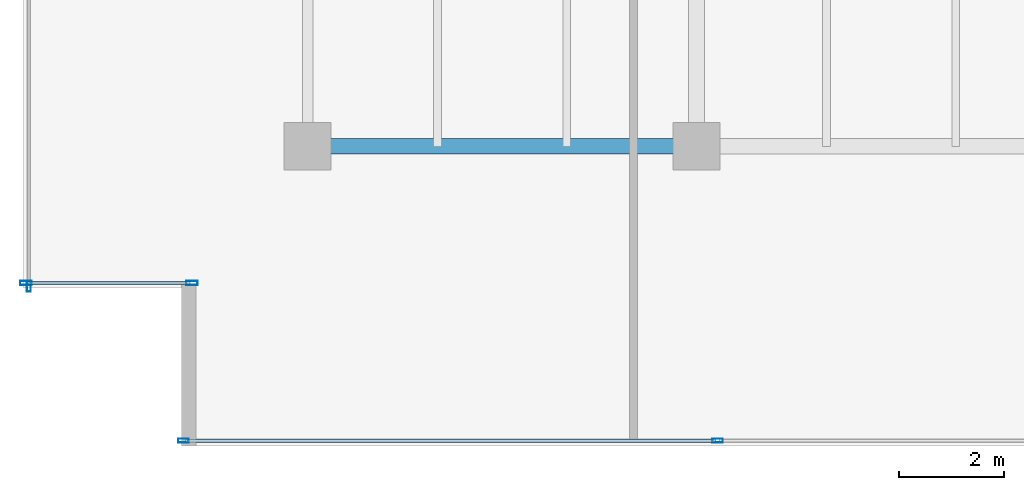
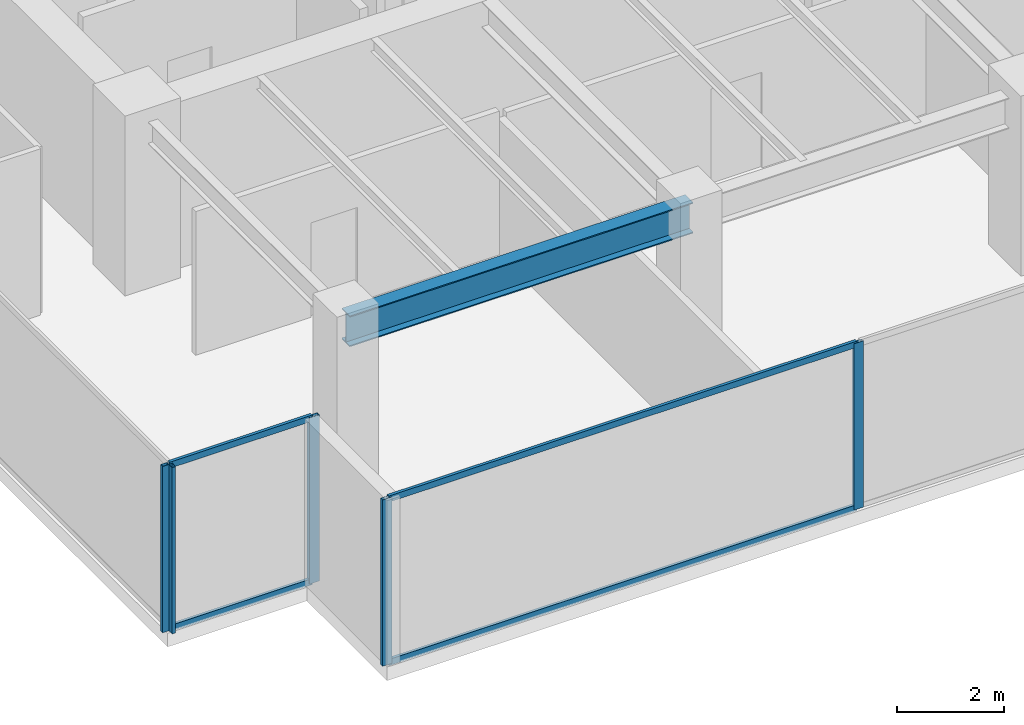
# One storey, part 2 of 30: 9 members, 1 beam, 3 elements without a shape of their own.
"""IFC4 building model written with IfcOpenShell, lengths in metres."""

import ifcopenshell
import ifcopenshell.guid

model = None  # the IFC model being written
_history = None  # IfcOwnerHistory: only IFC2X3 demands one
_inside = {}  # id of a spatial element -> (the spatial element, [elements in it])
_under = {}  # id of a project, library or spatial element -> (it, [spatial elements below it])
_declared = {}  # id of a project -> (the project, [libraries it declares])
_typed = {}  # id of a type object -> (the type object, [elements of that type])
_made_of = {}  # id of a material, layer set ... -> (it, [elements and type objects made of it])


def new_model(schema):
    """Start an empty IFC model of exactly this schema.

    Asked for "IFC4X3", IfcOpenShell would pick the latest addendum, in which some entities
    have other attributes; the version numbers below select the first issue.
    IFC2X3 requires an IfcOwnerHistory on every rooted entity: one is made here for all.
    """
    global model, _history
    if schema == "IFC4X3":
        model = ifcopenshell.file(schema_version=(4, 3, 0, 0))
    else:
        model = ifcopenshell.file(schema=schema)
    _inside.clear()
    _under.clear()
    _declared.clear()
    _typed.clear()
    _made_of.clear()
    _history = None
    if model.schema == "IFC2X3":
        org = make("IfcOrganization", Name="unknown")
        user = make(
            "IfcPersonAndOrganization",
            ThePerson=make("IfcPerson", FamilyName="unknown"),
            TheOrganization=org,
        )
        app = make(
            "IfcApplication",
            ApplicationDeveloper=org,
            Version="unknown",
            ApplicationFullName="unknown",
            ApplicationIdentifier="unknown",
        )
        _history = make(
            "IfcOwnerHistory",
            OwningUser=user,
            OwningApplication=app,
            ChangeAction="ADDED",
            CreationDate=0,
        )
    return model


def make(cls, **values):
    """One entity of the class cls with the attributes given. An attribute that is None is left unset."""
    return model.create_entity(
        cls, **{name: value for name, value in values.items() if value is not None}
    )


def rooted(cls, **values):
    """An entity with a GlobalId (a new one), such as an element, a storey or a relation."""
    return make(cls, GlobalId=ifcopenshell.guid.new(), OwnerHistory=_history, **values)


def si_unit(unit_type, name, prefix=None):
    """IfcSIUnit, for example si_unit("LENGTHUNIT", "METRE", prefix="MILLI")."""
    return make("IfcSIUnit", UnitType=unit_type, Prefix=prefix, Name=name)


def assignment(units):
    """IfcUnitAssignment: the units of a project."""
    return None if units is None else make("IfcUnitAssignment", Units=units)


def point(xyz):
    """IfcCartesianPoint."""
    return None if xyz is None else make("IfcCartesianPoint", Coordinates=xyz)


def direction(xyz):
    """IfcDirection."""
    return None if xyz is None else make("IfcDirection", DirectionRatios=xyz)


def frame(location, z_axis=None, x_axis=None):
    """IfcAxis2Placement3D, a coordinate frame: its origin and axes. An axis left out is left unset."""
    return make(
        "IfcAxis2Placement3D",
        Location=point(location),
        Axis=direction(z_axis),
        RefDirection=direction(x_axis),
    )


def frame_2d(location, x_axis=None):
    """IfcAxis2Placement2D, a coordinate frame in the plane: its origin and x axis."""
    return make(
        "IfcAxis2Placement2D", Location=point(location), RefDirection=direction(x_axis)
    )


def origin():
    """The frame at (0, 0, 0) with its axes left unset."""
    return frame((0.0, 0.0, 0.0))


def origin_2d():
    """The frame at (0, 0) in the plane with its x axis left unset."""
    return frame_2d((0.0, 0.0))


def place(relative_to, where):
    """IfcLocalPlacement: puts the frame where relative to a parent placement (None: the world)."""
    return make(
        "IfcLocalPlacement", PlacementRelTo=relative_to, RelativePlacement=where
    )


def context(
    kind, dimensions, precision=None, world=None, true_north=None, identifier=None
):
    """IfcGeometricRepresentationContext, for example the 3D "Model" context."""
    return make(
        "IfcGeometricRepresentationContext",
        ContextIdentifier=identifier,
        ContextType=kind,
        CoordinateSpaceDimension=dimensions,
        Precision=precision,
        WorldCoordinateSystem=world,
        TrueNorth=true_north,
    )


def subcontext(parent, identifier, kind, view, scale=None):
    """IfcGeometricRepresentationSubContext, for example "Body" below "Model"."""
    return make(
        "IfcGeometricRepresentationSubContext",
        ContextIdentifier=identifier,
        ContextType=kind,
        ParentContext=parent,
        TargetScale=scale,
        TargetView=view,
    )


def project(units=None, contexts=None):
    """IfcProject with its units and contexts."""
    return rooted(
        "IfcProject",
        Name="project",
        RepresentationContexts=contexts,
        UnitsInContext=assignment(units),
    )


def spatial(cls, under=None, at=None, **own):
    """A site, building, storey or space (cls), placed at a placement, below another one or the project."""
    s = rooted(cls, ObjectPlacement=at, **own)
    if under is not None:
        _under.setdefault(under.id(), (under, []))[1].append(s)
    return s


def profile(cls, at=None, kind="AREA", **sizes):
    """A parametric profile (cls). Its sizes go by their IFC names, for example OverallWidth=200.0."""
    return make(cls, ProfileType=kind, Position=at, **sizes)


def hollow_rectangle(**sizes):
    """IfcRectangleHollowProfileDef."""
    return profile("IfcRectangleHollowProfileDef", **sizes)


def i_section(**sizes):
    """IfcIShapeProfileDef."""
    return profile("IfcIShapeProfileDef", **sizes)


def extrude(swept, where, along, depth):
    """IfcExtrudedAreaSolid: the profile swept, set in the frame where, extruded along a direction by depth."""
    return make(
        "IfcExtrudedAreaSolid",
        SweptArea=swept,
        Position=where,
        ExtrudedDirection=direction(along),
        Depth=depth,
    )


def shape(context_of_items, identifier, shape_type, items):
    """IfcShapeRepresentation: the items that make up one representation, for example the "Body"."""
    return make(
        "IfcShapeRepresentation",
        ContextOfItems=context_of_items,
        RepresentationIdentifier=identifier,
        RepresentationType=shape_type,
        Items=items,
    )


def source(mapping_origin, context_of_items, identifier, shape_type, items):
    """IfcRepresentationMap: a shape defined once, which mapped items show again and again."""
    return make(
        "IfcRepresentationMap",
        MappingOrigin=mapping_origin,
        MappedRepresentation=shape(context_of_items, identifier, shape_type, items),
    )


def transform(
    local_origin,
    x_axis=None,
    y_axis=None,
    z_axis=None,
    scale=None,
    scale2=None,
    scale3=None,
    uniform=True,
):
    """IfcCartesianTransformationOperator3D, or its non-uniform kind. x_axis, y_axis, z_axis: its Axis1, 2, 3."""
    if uniform:
        return make(
            "IfcCartesianTransformationOperator3D",
            Axis1=direction(x_axis),
            Axis2=direction(y_axis),
            LocalOrigin=point(local_origin),
            Scale=scale,
            Axis3=direction(z_axis),
        )
    return make(
        "IfcCartesianTransformationOperator3DnonUniform",
        Axis1=direction(x_axis),
        Axis2=direction(y_axis),
        LocalOrigin=point(local_origin),
        Scale=scale,
        Axis3=direction(z_axis),
        Scale2=scale2,
        Scale3=scale3,
    )


def mapped(mapping_source, mapping_target):
    """IfcMappedItem: shows the shape of a source again, moved by a transform."""
    return make(
        "IfcMappedItem", MappingSource=mapping_source, MappingTarget=mapping_target
    )


def material(Name=None, Category=None):
    """IfcMaterial."""
    return make("IfcMaterial", Name=Name, Category=Category)


def layer(
    of_material, thickness, ventilated=None, Name=None, Category=None, Priority=None
):
    """IfcMaterialLayer: one layer of a wall or slab, of a material (None: an air gap)."""
    return make(
        "IfcMaterialLayer",
        Material=of_material,
        LayerThickness=thickness,
        IsVentilated=ventilated,
        Name=Name,
        Category=Category,
        Priority=Priority,
    )


def layer_set(layers, Name=None):
    """IfcMaterialLayerSet."""
    return make("IfcMaterialLayerSet", MaterialLayers=layers, LayerSetName=Name)


def material_profile(
    of_material, cross_section, Name=None, Category=None, Priority=None
):
    """IfcMaterialProfile: a cross section and its material."""
    return make(
        "IfcMaterialProfile",
        Name=Name,
        Material=of_material,
        Profile=cross_section,
        Priority=Priority,
        Category=Category,
    )


def profile_set(profiles, Name=None, composite=None):
    """IfcMaterialProfileSet."""
    return make(
        "IfcMaterialProfileSet",
        Name=Name,
        MaterialProfiles=profiles,
        CompositeProfile=composite,
    )


def made_of(thing, what):
    """Note that an element or type object is made of a material, layer set ...; save() writes the relation."""
    if what is not None:
        _made_of.setdefault(what.id(), (what, []))[1].append(thing)
    return thing


def type_object(cls, material=None, **own):
    """A type object (cls), such as IfcWallType, which elements share."""
    return made_of(rooted(cls, **own), material)


def type_shapes(of_type, sources):
    """Give a type object the sources (RepresentationMaps) that its elements show as mapped items."""
    of_type.RepresentationMaps = sources


def element(
    cls,
    number,
    at=None,
    inside=None,
    cuts=None,
    type_object=None,
    material=None,
    context=None,
    identifier="Body",
    shape_type=None,
    held_by="IfcProductDefinitionShape",
    body=None,
    shapes=None,
    **own,
):
    """One element of the class cls, such as IfcWall. Its Tag is "e" and its number.

    at: its placement. inside: the storey or other place that contains it. cuts: it is an
    opening in that element (IfcRelVoidsElement). A single representation is given by context,
    identifier, shape_type and body (its items); several are given by shapes. held_by: the class
    of the entity that holds the representations. save() writes the other relations.
    """
    e = rooted(cls, Tag="e%d" % number, ObjectPlacement=at, **own)
    if body is not None:
        shapes = [shape(context, identifier, shape_type, body)]
    if shapes is not None:
        e.Representation = make(held_by, Representations=shapes)
    if inside is not None:
        _inside.setdefault(inside.id(), (inside, []))[1].append(e)
    if cuts is not None:
        rooted(
            "IfcRelVoidsElement", RelatingBuildingElement=cuts, RelatedOpeningElement=e
        )
    if type_object is not None:
        _typed.setdefault(type_object.id(), (type_object, []))[1].append(e)
    return made_of(e, material)


def aggregate(whole, parts):
    """IfcRelAggregates: a whole, such as a stair, and the parts it consists of."""
    return rooted("IfcRelAggregates", RelatingObject=whole, RelatedObjects=parts)


def save(model, path):
    """Write the relations noted so far, then the file.

    IfcRelAggregates (storeys below a building ...), IfcRelContainedInSpatialStructure (elements
    in a storey), IfcRelDefinesByType, IfcRelAssociatesMaterial and IfcRelDeclares: one each for
    every whole, place, type object, material and project.
    """
    for whole, parts in _under.values():
        aggregate(whole, parts)
    for where, things in _inside.values():
        rooted(
            "IfcRelContainedInSpatialStructure",
            RelatedElements=things,
            RelatingStructure=where,
        )
    for kind, things in _typed.values():
        rooted("IfcRelDefinesByType", RelatedObjects=things, RelatingType=kind)
    for what, things in _made_of.values():
        rooted("IfcRelAssociatesMaterial", RelatedObjects=things, RelatingMaterial=what)
    for by, libraries in _declared.values():
        rooted("IfcRelDeclares", RelatingContext=by, RelatedDefinitions=libraries)
    model.write(path)


model = new_model("IFC4")

# Units and contexts
model_context = context("Model", 3, precision=1e-05, world=origin(), true_north=direction((0.0, 1.0)))
body_context = subcontext(model_context, "Body", "Model", "MODEL_VIEW")
ifc_project = project(units=[si_unit("LENGTHUNIT", "METRE"), si_unit("AREAUNIT", "SQUARE_METRE"), si_unit("VOLUMEUNIT", "CUBIC_METRE"), si_unit("PLANEANGLEUNIT", "RADIAN"), si_unit("MASSUNIT", "GRAM", prefix="KILO")], contexts=[model_context])

# Site, building, storey
site_placement = place(None, origin())
site = spatial("IfcSite", under=ifc_project, at=site_placement, CompositionType="ELEMENT")
building_placement = place(site_placement, origin())
building = spatial("IfcBuilding", under=site, at=building_placement, Name="Haelvirn Gate Laboratories", CompositionType="ELEMENT")
storey_placement = place(building_placement, frame((0.0, 0.0, 162.5)))
storey = spatial("IfcBuildingStorey", under=building, at=storey_placement, Name="L39", CompositionType="ELEMENT", Elevation=162.5)

# Beam
ifc_material_1 = material(Name="Steel SM355", Category="steel")
ifc_material_profile_1 = material_profile(ifc_material_1, i_section(OverallWidth=0.300048828125, OverallDepth=0.699951171875, WebThickness=0.012939453125, FlangeThickness=0.02392578125, at=origin_2d()), Name="H-700x300x13x24")
ifc_profile_set_1 = profile_set([ifc_material_profile_1], Name="Steel SM355")
beam_type = type_object("IfcBeamType", Name="BM-G-700", PredefinedType="BEAM", material=ifc_profile_set_1)
shared_shape_1 = source(origin(), body_context, "Body", "SweptSolid", [
    extrude(i_section(OverallWidth=0.300048828125, OverallDepth=0.699951171875, WebThickness=0.012939453125, FlangeThickness=0.02392578125, at=origin_2d()), origin(), (0.0, 0.0, 1.0), 7.400146484375),
])
type_shapes(beam_type, [shared_shape_1])
beam_placement = place(storey_placement, frame((7.39990234375, 7.0, 3.43994140625), z_axis=(1.0, 0.0, 0.0), x_axis=(0.0, 1.0, 0.0)))
element("IfcBeam", 1, at=beam_placement, inside=storey, type_object=beam_type, Name="L39 Primary Girder Y7.0 (7.4-14.8)", PredefinedType="BEAM", context=body_context, shape_type="MappedRepresentation", body=[
    mapped(shared_shape_1, transform((0.0, 0.0, 0.0), scale=1.0)),
])

# Curtain wall, members
ifc_material_2 = material(Name="Anodised bronze unitised aluminium & triple low-E glass", Category="aluminium")
ifc_layer_1 = layer(ifc_material_2, 0.179931640625, Name="CW-SYS-3")
ifc_layer_set_1 = layer_set([ifc_layer_1], Name="Anodised bronze unitised aluminium & triple low-E glass")
curtain_wall_type_1 = type_object("IfcCurtainWallType", Name="CW-SYS-3", PredefinedType="NOTDEFINED", material=ifc_layer_set_1)
curtain_wall_1_placement = place(storey_placement, origin())
curtain_wall_1 = element("IfcCurtainWall", 2, at=curtain_wall_1_placement, inside=storey, type_object=curtain_wall_type_1, Name="L39 Unitised Curtain Wall CW-L39-P0-E00-1", PredefinedType="NOTDEFINED")
ifc_material_3 = material(Name="Extruded aluminium 6063-T6 (anodised bronze)", Category="aluminium")
ifc_material_profile_2 = material_profile(ifc_material_3, hollow_rectangle(XDim=0.06494140625, YDim=0.139892578125, WallThickness=0.00390625, at=origin_2d()), Name="CWT-140x65x4")
ifc_profile_set_2 = profile_set([ifc_material_profile_2], Name="Extruded aluminium 6063-T6 (anodised bronze)")
member_type_1 = type_object("IfcMemberType", Name="CWT-T140", PredefinedType="USERDEFINED", material=ifc_profile_set_2)
shared_shape_2 = source(origin(), body_context, "Body", "SweptSolid", [
    extrude(hollow_rectangle(XDim=0.06494140625, YDim=0.139892578125, WallThickness=0.00390625, at=origin_2d()), origin(), (0.0, 0.0, 1.0), 10.087646484375),
])
member_1_placement = place(storey_placement, frame((5.074951171875, 1.39990234375, 0.032470703125), z_axis=(1.0, 0.0, 0.0), x_axis=(0.0, 1.0, 0.0)))
member_1 = element("IfcMember", 3, at=member_1_placement, type_object=member_type_1, Name="CW3 transom 1.1", ObjectType="TRANSOM", PredefinedType="USERDEFINED", context=body_context, shape_type="MappedRepresentation", body=[
    mapped(shared_shape_2, transform((0.0, 0.0, 0.0), scale=1.0)),
])
member_2_placement = place(storey_placement, frame((5.074951171875, 1.39990234375, 3.757568359375), z_axis=(1.0, 0.0, 0.0), x_axis=(0.0, 1.0, 0.0)))
member_2 = element("IfcMember", 4, at=member_2_placement, type_object=member_type_1, Name="CW3 transom 1.2", ObjectType="TRANSOM", PredefinedType="USERDEFINED", context=body_context, shape_type="MappedRepresentation", body=[
    mapped(shared_shape_2, transform((0.0, 0.0, 0.0), scale=1.0)),
])

ifc_layer_2 = layer(ifc_material_2, 0.181884765625, Name="CW-SYS-5")
ifc_layer_set_2 = layer_set([ifc_layer_2], Name="Anodised bronze unitised aluminium & triple low-E glass")
curtain_wall_type_2 = type_object("IfcCurtainWallType", Name="CW-SYS-5", PredefinedType="NOTDEFINED", material=ifc_layer_set_2)
curtain_wall_2_placement = place(storey_placement, origin())
curtain_wall_2 = element("IfcCurtainWall", 5, at=curtain_wall_2_placement, inside=storey, type_object=curtain_wall_type_2, Name="L39 Unitised Curtain Wall CW-L39-P0-E18-1", PredefinedType="NOTDEFINED")
shared_shape_3 = source(origin(), body_context, "Body", "SweptSolid", [
    extrude(hollow_rectangle(XDim=0.06494140625, YDim=0.139892578125, WallThickness=0.00390625, at=origin_2d()), origin(), (0.0, 0.0, 1.0), 3.079833984375),
])
type_shapes(member_type_1, [shared_shape_2, shared_shape_3])
member_3_placement = place(storey_placement, frame((2.080078125, 4.39990234375, 0.032470703125), z_axis=(1.0, 0.0, 0.0), x_axis=(0.0, 1.0, 0.0)))
member_3 = element("IfcMember", 6, at=member_3_placement, type_object=member_type_1, Name="CW5 transom 1.1", ObjectType="TRANSOM", PredefinedType="USERDEFINED", context=body_context, shape_type="MappedRepresentation", body=[
    mapped(shared_shape_3, transform((0.0, 0.0, 0.0), scale=1.0)),
])
member_4_placement = place(storey_placement, frame((2.080078125, 4.39990234375, 3.757568359375), z_axis=(1.0, 0.0, 0.0), x_axis=(0.0, 1.0, 0.0)))
member_4 = element("IfcMember", 7, at=member_4_placement, type_object=member_type_1, Name="CW5 transom 1.2", ObjectType="TRANSOM", PredefinedType="USERDEFINED", context=body_context, shape_type="MappedRepresentation", body=[
    mapped(shared_shape_3, transform((0.0, 0.0, 0.0), scale=1.0)),
])

# Member
ifc_material_profile_3 = material_profile(ifc_material_3, hollow_rectangle(XDim=0.074951171875, YDim=0.199951171875, WallThickness=0.0048828125, at=origin_2d()), Name="CWM-200x75x5")
ifc_profile_set_3 = profile_set([ifc_material_profile_3], Name="Extruded aluminium 6063-T6 (anodised bronze)")
member_type_2 = type_object("IfcMemberType", Name="CWM-T200", PredefinedType="MULLION", material=ifc_profile_set_3)
shared_shape_4 = source(origin(), body_context, "Body", "SweptSolid", [
    extrude(hollow_rectangle(XDim=0.074951171875, YDim=0.199951171875, WallThickness=0.0048828125, at=origin_2d()), origin(), (0.0, 0.0, 1.0), 3.7900390625),
])
type_shapes(member_type_2, [shared_shape_4])
member_5_placement = place(storey_placement, frame((5.03759765625, 1.39990234375, 0.0), z_axis=(0.0, 0.0, 1.0), x_axis=(0.0, 1.0, 0.0)))
member_5 = element("IfcMember", 8, at=member_5_placement, type_object=member_type_2, Name="CW3 mullion 1", PredefinedType="MULLION", context=body_context, shape_type="MappedRepresentation", body=[
    mapped(shared_shape_4, transform((0.0, 0.0, 0.0), scale=1.0)),
])

member_6_placement = place(storey_placement, frame((15.199951171875, 1.39990234375, 0.0), z_axis=(0.0, 0.0, 1.0), x_axis=(0.0, 1.0, 0.0)))
member_6 = element("IfcMember", 9, at=member_6_placement, type_object=member_type_2, Name="CW3 mullion 2", PredefinedType="MULLION", context=body_context, shape_type="MappedRepresentation", body=[
    mapped(shared_shape_4, transform((0.0, 0.0, 0.0), scale=1.0)),
])

aggregate(curtain_wall_1, [member_5, member_6, member_1, member_2])

# Curtain wall, member
curtain_wall_3_placement = place(storey_placement, origin())
curtain_wall_3 = element("IfcCurtainWall", 10, at=curtain_wall_3_placement, inside=storey, type_object=curtain_wall_type_1, Name="L39 Unitised Curtain Wall CW-L39-P0-E17", PredefinedType="NOTDEFINED")
member_7_placement = place(storey_placement, frame((2.10009765625, 4.33740234375, 0.0), z_axis=(0.0, 0.0, 1.0), x_axis=(1.0, 0.0, 0.0)))
member_7 = element("IfcMember", 11, at=member_7_placement, type_object=member_type_2, Name="CW3 mullion 4", PredefinedType="MULLION", context=body_context, shape_type="MappedRepresentation", body=[
    mapped(shared_shape_4, transform((0.0, 0.0, 0.0), scale=1.0)),
])
aggregate(curtain_wall_3, [member_7])

# Member
ifc_material_profile_4 = material_profile(ifc_material_3, hollow_rectangle(XDim=0.080078125, YDim=0.219970703125, WallThickness=0.006103515625, at=origin_2d()), Name="CWM-220x80x6")
ifc_profile_set_4 = profile_set([ifc_material_profile_4], Name="Extruded aluminium 6063-T6 (anodised bronze)")
member_type_3 = type_object("IfcMemberType", Name="CWM-T220", PredefinedType="MULLION", material=ifc_profile_set_4)
shared_shape_5 = source(origin(), body_context, "Body", "SweptSolid", [
    extrude(hollow_rectangle(XDim=0.080078125, YDim=0.219970703125, WallThickness=0.006103515625, at=origin_2d()), origin(), (0.0, 0.0, 1.0), 3.7900390625),
])
type_shapes(member_type_3, [shared_shape_5])
member_8_placement = place(storey_placement, frame((2.0400390625, 4.39990234375, 0.0), z_axis=(0.0, 0.0, 1.0), x_axis=(0.0, 1.0, 0.0)))
member_8 = element("IfcMember", 12, at=member_8_placement, type_object=member_type_3, Name="CW5 mullion 1", PredefinedType="MULLION", context=body_context, shape_type="MappedRepresentation", body=[
    mapped(shared_shape_5, transform((0.0, 0.0, 0.0), scale=1.0)),
])

member_9_placement = place(storey_placement, frame((5.199951171875, 4.39990234375, 0.0), z_axis=(0.0, 0.0, 1.0), x_axis=(0.0, 1.0, 0.0)))
member_9 = element("IfcMember", 13, at=member_9_placement, type_object=member_type_3, Name="CW5 mullion 2", PredefinedType="MULLION", context=body_context, shape_type="MappedRepresentation", body=[
    mapped(shared_shape_5, transform((0.0, 0.0, 0.0), scale=1.0)),
])

aggregate(curtain_wall_2, [member_8, member_9, member_3, member_4])

save(model, "model.ifc")
